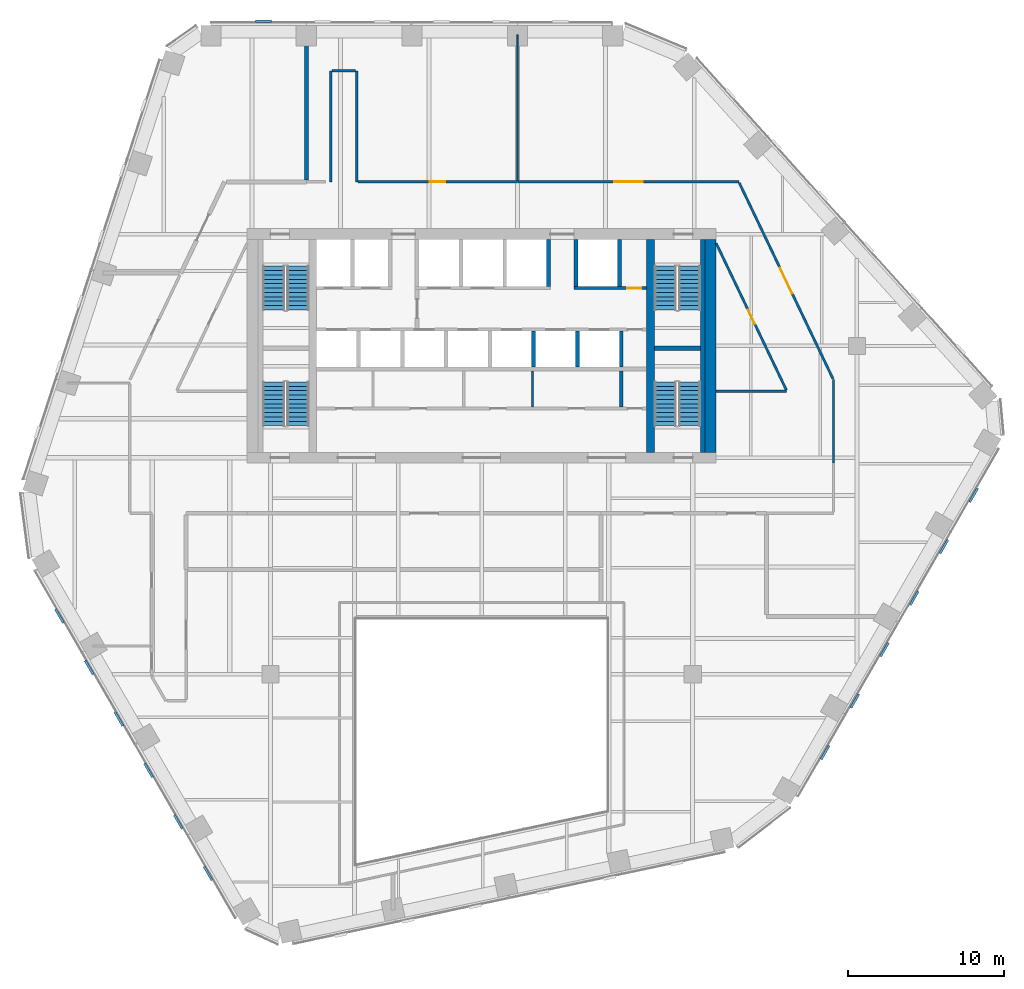
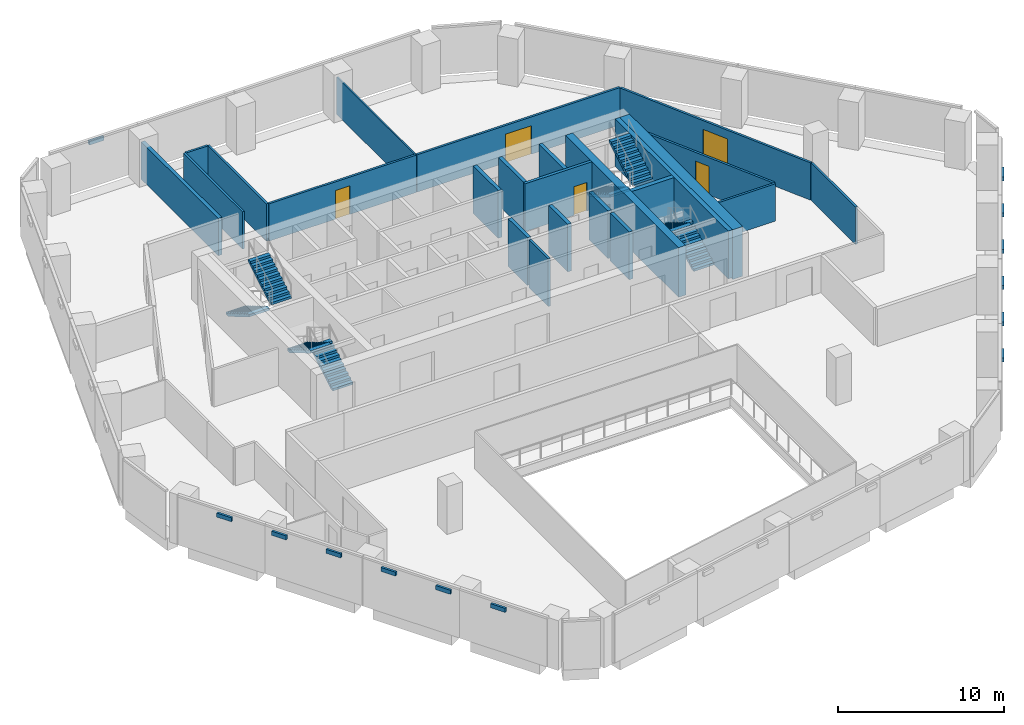
# One storey, part 13 of 17: 24 walls, 13 discrete accessories, 8 stair flights, 5 doors, 5 openings, 4 elements without a shape of their own.
"""IFC4 building model written with IfcOpenShell, lengths in metres."""

from ifc_helpers import new_model, si_unit, direction, frame, frame_2d, origin, origin_2d, place, context, subcontext, project, spatial, polyline, rectangle, outline, extrude, material, layer, layer_set, type_object, element, fill, aggregate, save


model = new_model("IFC4")

# Units and contexts
model_context = context("Model", 3, precision=1e-05, world=origin(), true_north=direction((0.0, 1.0)))
body_context = subcontext(model_context, "Body", "Model", "MODEL_VIEW")
ifc_project = project(units=[si_unit("LENGTHUNIT", "METRE"), si_unit("AREAUNIT", "SQUARE_METRE"), si_unit("VOLUMEUNIT", "CUBIC_METRE"), si_unit("PLANEANGLEUNIT", "RADIAN"), si_unit("MASSUNIT", "GRAM", prefix="KILO")], contexts=[model_context])

# Site, building, storey
site_placement = place(None, origin())
site = spatial("IfcSite", under=ifc_project, at=site_placement, CompositionType="ELEMENT")
building_placement = place(site_placement, origin())
building = spatial("IfcBuilding", under=site, at=building_placement, Name="Isthmus Gate Tower", CompositionType="ELEMENT")
storey_placement = place(building_placement, frame((0.0, 0.0, 200.0)))
storey = spatial("IfcBuildingStorey", under=building, at=storey_placement, Name="L50", CompositionType="ELEMENT", Elevation=200.0)

# Walls
ifc_material_1 = material(Name="Double-leaf acoustic stud wall, fire-rated", Category="gypsum")
ifc_layer_1 = layer(ifc_material_1, 0.25)
ifc_layer_set_1 = layer_set([ifc_layer_1], Name="ACOUSTIC WALL 250 60 MIN")
wall_type_1 = type_object("IfcWallType", Name="ACOUSTIC WALL 250 60 MIN", PredefinedType="PARTITIONING", material=ifc_layer_set_1)
wall_1_placement = place(storey_placement, frame((-11.2119140625, 18.125, 0.0), z_axis=(0.0, 0.0, 1.0), x_axis=(0.0, 1.0, 0.0)))
element("IfcWall", 1, at=wall_1_placement, inside=storey, type_object=wall_type_1, Name="L50 Acoustic Wall 250 60 Min", PredefinedType="PARTITIONING", context=body_context, shape_type="SweptSolid", body=[
    extrude(rectangle(XDim=9.27490234375, YDim=0.25, at=frame_2d((4.637451171875, 0.0))), origin(), (0.0, 0.0, 1.0), 2.7412109375),
])
ifc_material_2 = material(Name="Gypsum board on steel studs, fire-rated", Category="steel")
ifc_layer_2 = layer(ifc_material_2, 0.14990234375)
ifc_layer_set_2 = layer_set([ifc_layer_2], Name="CORRIDOR WALL 150 60 MIN")
wall_type_2 = type_object("IfcWallType", Name="CORRIDOR WALL 150 60 MIN", PredefinedType="PARTITIONING", material=ifc_layer_set_2)
wall_2_placement = place(storey_placement, frame((-8.0, 25.10009765625, 0.0), z_axis=(0.0, 0.0, 1.0), x_axis=(0.0, -1.0, 0.0)))
element("IfcWall", 2, at=wall_2_placement, inside=storey, type_object=wall_type_2, Name="L50 Corridor Wall 150 60 Min", PredefinedType="PARTITIONING", context=body_context, shape_type="SweptSolid", body=[
    extrude(rectangle(XDim=7.10009765625, YDim=0.14990234375, at=frame_2d((3.550048828125, 0.0))), origin(), (0.0, 0.0, 1.0), 2.7412109375),
])
wall_3_placement = place(storey_placement, frame((22.5, 5.340087890625, 0.0), z_axis=(0.0, 0.0, 1.0), x_axis=(0.0, -1.0, 0.0)))
element("IfcWall", 3, at=wall_3_placement, inside=storey, type_object=wall_type_2, Name="L50 Corridor Wall 150 60 Min", PredefinedType="PARTITIONING", context=body_context, shape_type="SweptSolid", body=[
    extrude(rectangle(XDim=5.340087890625, YDim=0.14990234375, at=frame_2d((2.669921875, 0.0))), origin(), (0.0, 0.0, 1.0), 2.7412109375),
])

# Wall, opening, door
wall_4_placement = place(storey_placement, frame((19.492919921875, 4.675048828125, 0.0), z_axis=(0.0, 0.0, 1.0), x_axis=(-0.43146462293, 0.902129857149, 0.0)))
wall_4 = element("IfcWall", 4, at=wall_4_placement, inside=storey, type_object=wall_type_2, Name="L50 Corridor Wall 150 60 Min", PredefinedType="PARTITIONING", context=body_context, shape_type="SweptSolid", body=[
    extrude(rectangle(XDim=10.4130859375, YDim=0.14990234375, at=frame_2d((5.20654296875, 0.0))), origin(), (0.0, 0.0, 1.0), 2.7412109375),
])
opening_1_placement = place(wall_4_placement, frame((4.6982421875, 0.0, 0.0)))
opening_1 = element("IfcOpeningElement", 5, at=opening_1_placement, cuts=wall_4, Name="Opening DT-T4D-07", PredefinedType="OPENING", context=body_context, shape_type="SweptSolid", body=[
    extrude(rectangle(XDim=1.0, YDim=2.10009765625, at=frame_2d((0.5, 1.050048828125))), frame((0.0, 0.0849609375, 0.0), z_axis=(0.0, -1.0, 0.0), x_axis=(1.0, 0.0, 0.0)), (0.0, 0.0, 1.0), 0.169921875),
])
ifc_material_3 = material(Name="Solid core timber door leaf, fire-rated", Category="wood")
door_type_1 = type_object("IfcDoorType", Name="FIRE DOOR ROOM 1000 X 2100 60 MIN", OperationType="SINGLE_SWING_LEFT", PredefinedType="DOOR", material=ifc_material_3)
door_1_placement = place(opening_1_placement, origin())
door_1 = element("IfcDoor", 6, at=door_1_placement, inside=storey, type_object=door_type_1, Name="L50 room door", OperationType="SINGLE_SWING_RIGHT", OverallHeight=2.10009765625, OverallWidth=1.0, PredefinedType="DOOR", context=body_context, shape_type="SweptSolid", body=[
    extrude(rectangle(XDim=1.0, YDim=2.10009765625, at=frame_2d((0.5, 1.050048828125))), frame((0.0, 0.02490234375, 0.0), z_axis=(0.0, -1.0, 0.0), x_axis=(1.0, 0.0, 0.0)), (0.0, 0.0, 1.0), 0.050048828125),
])
fill(opening_1, door_1)

# Walls
wall_5_placement = place(storey_placement, frame((-9.659912109375, 17.998046875, 0.0), z_axis=(0.0, 0.0, 1.0), x_axis=(0.0, 1.0, 0.0)))
element("IfcWall", 7, at=wall_5_placement, inside=storey, type_object=wall_type_2, Name="L50 Corridor Wall 150 60 Min", PredefinedType="PARTITIONING", context=body_context, shape_type="SweptSolid", body=[
    extrude(rectangle(XDim=7.10205078125, YDim=0.14990234375, at=frame_2d((3.551025390625, 0.0))), origin(), (0.0, 0.0, 1.0), 2.7412109375),
])
wall_6_placement = place(storey_placement, frame((-9.5849609375, 25.10009765625, 0.0), z_axis=(0.0, 0.0, 1.0), x_axis=(1.0, 0.0, 0.0)))
element("IfcWall", 8, at=wall_6_placement, inside=storey, type_object=wall_type_2, Name="L50 Corridor Wall 150 60 Min", PredefinedType="PARTITIONING", context=body_context, shape_type="SweptSolid", body=[
    extrude(rectangle(XDim=1.510009765625, YDim=0.14990234375, at=frame_2d((0.7548828125, 0.0))), origin(), (0.0, 0.0, 1.0), 2.7412109375),
])

# Wall, opening, door
wall_7_placement = place(storey_placement, frame((-7.925048828125, 18.0, 0.0), z_axis=(0.0, 0.0, 1.0), x_axis=(1.0, 0.0, 0.0)))
wall_7 = element("IfcWall", 9, at=wall_7_placement, inside=storey, type_object=wall_type_2, Name="L50 Corridor Wall 150 60 Min", PredefinedType="PARTITIONING", context=body_context, shape_type="SweptSolid", body=[
    extrude(rectangle(XDim=10.213134765625, YDim=0.14990234375, at=frame_2d((5.1064453125, 0.0))), origin(), (0.0, 0.0, 1.0), 2.7412109375),
])
opening_2_placement = place(wall_7_placement, frame((4.6064453125, 0.0, 0.0)))
opening_2 = element("IfcOpeningElement", 10, at=opening_2_placement, cuts=wall_7, Name="Opening DT-T4D-01", PredefinedType="OPENING", context=body_context, shape_type="SweptSolid", body=[
    extrude(rectangle(XDim=1.0, YDim=2.10009765625, at=frame_2d((0.5, 1.050048828125))), frame((0.0, 0.0849609375, 0.0), z_axis=(0.0, -1.0, 0.0), x_axis=(1.0, 0.0, 0.0)), (0.0, 0.0, 1.0), 0.169921875),
])
door_2_placement = place(opening_2_placement, origin())
door_2 = element("IfcDoor", 11, at=door_2_placement, inside=storey, type_object=door_type_1, Name="L50 room door", OperationType="SINGLE_SWING_RIGHT", OverallHeight=2.10009765625, OverallWidth=1.0, PredefinedType="DOOR", context=body_context, shape_type="SweptSolid", body=[
    extrude(rectangle(XDim=1.0, YDim=2.10009765625, at=frame_2d((0.5, 1.050048828125))), frame((0.0, 0.02490234375, 0.0), z_axis=(0.0, -1.0, 0.0), x_axis=(1.0, 0.0, 0.0)), (0.0, 0.0, 1.0), 0.050048828125),
])
fill(opening_2, door_2)

wall_8_placement = place(storey_placement, frame((2.337890625, 18.0, 0.0), z_axis=(0.0, 0.0, 1.0), x_axis=(1.0, 0.0, 0.0)))
wall_8 = element("IfcWall", 12, at=wall_8_placement, inside=storey, type_object=wall_type_2, Name="L50 Corridor Wall 150 60 Min", PredefinedType="PARTITIONING", context=body_context, shape_type="SweptSolid", body=[
    extrude(rectangle(XDim=14.107177734375, YDim=0.14990234375, at=frame_2d((7.0537109375, 0.0))), origin(), (0.0, 0.0, 1.0), 2.7412109375),
])
opening_3_placement = place(wall_8_placement, frame((6.153564453125, 0.0, 0.0)))
opening_3 = element("IfcOpeningElement", 13, at=opening_3_placement, cuts=wall_8, Name="Opening DT-T4D-03", PredefinedType="OPENING", context=body_context, shape_type="SweptSolid", body=[
    extrude(rectangle(XDim=1.800048828125, YDim=2.10009765625, at=frame_2d((0.89990234375, 1.050048828125))), frame((0.0, 0.0849609375, 0.0), z_axis=(0.0, -1.0, 0.0), x_axis=(1.0, 0.0, 0.0)), (0.0, 0.0, 1.0), 0.169921875),
])
ifc_material_4 = material(Name="Solid core timber door leaf, fire-rated", Category="wood")
door_type_2 = type_object("IfcDoorType", Name="FIRE DOOR ROOM 1800 X 2100 60 MIN", OperationType="DOUBLE_DOOR_DOUBLE_SWING", PredefinedType="DOOR", material=ifc_material_4)
door_3_placement = place(opening_3_placement, origin())
door_3 = element("IfcDoor", 14, at=door_3_placement, inside=storey, type_object=door_type_2, Name="L50 room door", OperationType="DOUBLE_DOOR_DOUBLE_SWING", OverallHeight=2.10009765625, OverallWidth=1.800048828125, PredefinedType="DOOR", context=body_context, shape_type="SweptSolid", body=[
    extrude(rectangle(XDim=1.800048828125, YDim=2.10009765625, at=frame_2d((0.89990234375, 1.050048828125))), frame((0.0, 0.02490234375, 0.0), z_axis=(0.0, -1.0, 0.0), x_axis=(1.0, 0.0, 0.0)), (0.0, 0.0, 1.0), 0.050048828125),
])
fill(opening_3, door_3)

wall_9_placement = place(storey_placement, frame((16.477294921875, 17.932373046875, 0.0), z_axis=(0.0, 0.0, 1.0), x_axis=(0.431466075341, -0.902129162498, 0.0)))
wall_9 = element("IfcWall", 15, at=wall_9_placement, inside=storey, type_object=wall_type_2, Name="L50 Corridor Wall 150 60 Min", PredefinedType="PARTITIONING", context=body_context, shape_type="SweptSolid", body=[
    extrude(rectangle(XDim=13.883544921875, YDim=0.14990234375, at=frame_2d((6.94189453125, 0.0))), origin(), (0.0, 0.0, 1.0), 2.7412109375),
])
opening_4_placement = place(wall_9_placement, frame((6.041748046875, 0.0, 0.0)))
opening_4 = element("IfcOpeningElement", 16, at=opening_4_placement, cuts=wall_9, Name="Opening DT-T4D-04", PredefinedType="OPENING", context=body_context, shape_type="SweptSolid", body=[
    extrude(rectangle(XDim=1.800048828125, YDim=2.10009765625, at=frame_2d((0.89990234375, 1.050048828125))), frame((0.0, 0.0849609375, 0.0), z_axis=(0.0, -1.0, 0.0), x_axis=(1.0, 0.0, 0.0)), (0.0, 0.0, 1.0), 0.169921875),
])
door_4_placement = place(opening_4_placement, origin())
door_4 = element("IfcDoor", 17, at=door_4_placement, inside=storey, type_object=door_type_2, Name="L50 room door", OperationType="DOUBLE_DOOR_DOUBLE_SWING", OverallHeight=2.10009765625, OverallWidth=1.800048828125, PredefinedType="DOOR", context=body_context, shape_type="SweptSolid", body=[
    extrude(rectangle(XDim=1.800048828125, YDim=2.10009765625, at=frame_2d((0.89990234375, 1.050048828125))), frame((0.0, 0.02490234375, 0.0), z_axis=(0.0, -1.0, 0.0), x_axis=(1.0, 0.0, 0.0)), (0.0, 0.0, 1.0), 0.050048828125),
])
fill(opening_4, door_4)

# Walls
wall_10_placement = place(storey_placement, frame((15.0, 4.60009765625, 0.0), z_axis=(0.0, 0.0, 1.0), x_axis=(1.0, 0.0, 0.0)))
element("IfcWall", 18, at=wall_10_placement, inside=storey, type_object=wall_type_2, Name="L50 Corridor Wall 150 60 Min", PredefinedType="PARTITIONING", context=body_context, shape_type="SweptSolid", body=[
    extrude(rectangle(XDim=4.5, YDim=0.14990234375, at=frame_2d((2.25, 0.0))), origin(), (0.0, 0.0, 1.0), 2.7412109375),
])
ifc_material_5 = material(Name="Concrete f'c 60 MPa", Category="concrete")
ifc_layer_3 = layer(ifc_material_5, 0.5)
ifc_layer_set_3 = layer_set([ifc_layer_3], Name="RC CORE SPINE WALL 500 F'C 60")
wall_type_3 = type_object("IfcWallType", Name="RC CORE SPINE WALL 500 F'C 60", PredefinedType="SOLIDWALL", material=ifc_layer_set_3)
wall_11_placement = place(storey_placement, frame((10.800048828125, 0.699951171875, -0.14990234375), z_axis=(0.0, 0.0, 1.0), x_axis=(0.0, 1.0, 0.0)))
element("IfcWall", 19, at=wall_11_placement, inside=storey, type_object=wall_type_3, Name="str-corewall-L50-SPE", PredefinedType="SOLIDWALL", context=body_context, shape_type="SweptSolid", body=[
    extrude(rectangle(XDim=13.60009765625, YDim=0.5, at=frame_2d((6.800048828125, 0.0))), origin(), (0.0, 0.0, 1.0), 3.64990234375),
])
ifc_material_6 = material(Name="Concrete f'c 60 MPa", Category="concrete")
ifc_layer_4 = layer(ifc_material_6, 0.699951171875)
ifc_layer_set_4 = layer_set([ifc_layer_4], Name="RC CORE WALL 700 F'C 60")
wall_type_4 = type_object("IfcWallType", Name="RC CORE WALL 700 F'C 60", PredefinedType="SOLIDWALL", material=ifc_layer_set_4)
wall_12_placement = place(storey_placement, frame((14.64990234375, 0.699951171875, -0.14990234375), z_axis=(0.0, 0.0, 1.0), x_axis=(0.0, 1.0, 0.0)))
element("IfcWall", 20, at=wall_12_placement, inside=storey, type_object=wall_type_4, Name="str-corewall-L50-E", PredefinedType="SOLIDWALL", context=body_context, shape_type="SweptSolid", body=[
    extrude(rectangle(XDim=13.60009765625, YDim=0.699951171875, at=frame_2d((6.800048828125, 0.0))), origin(), (0.0, 0.0, 1.0), 3.64990234375),
])
ifc_material_7 = material(Name="Gypsum board on steel studs, fire-rated", Category="steel")
ifc_layer_5 = layer(ifc_material_7, 0.10009765625)
ifc_layer_set_5 = layer_set([ifc_layer_5], Name="ROOM PARTITION 100 30 MIN")
wall_type_5 = type_object("IfcWallType", Name="ROOM PARTITION 100 30 MIN", PredefinedType="PARTITIONING", material=ifc_layer_set_5)
wall_13_placement = place(storey_placement, frame((2.2880859375, 18.074951171875, 0.0), z_axis=(0.0, 0.0, 1.0), x_axis=(0.0, 1.0, 0.0)))
element("IfcWall", 21, at=wall_13_placement, inside=storey, type_object=wall_type_5, Name="L50 Room Partition 100 30 Min", PredefinedType="PARTITIONING", context=body_context, shape_type="SweptSolid", body=[
    extrude(rectangle(XDim=9.324951171875, YDim=0.10009765625, at=frame_2d((4.66259765625, 0.0))), origin(), (0.0, 0.0, 1.0), 2.7412109375),
])
ifc_material_8 = material(Name="Gypsum board on steel studs, fire-rated", Category="steel")
ifc_layer_6 = layer(ifc_material_8, 0.14990234375)
ifc_layer_set_6 = layer_set([ifc_layer_6], Name="ROOM PARTITION 150 60 MIN")
wall_type_6 = type_object("IfcWallType", Name="ROOM PARTITION 150 60 MIN", PredefinedType="PARTITIONING", material=ifc_layer_set_6)
wall_14_placement = place(storey_placement, frame((3.25, 3.60009765625, 0.0), z_axis=(0.0, 0.0, 1.0), x_axis=(0.0, 1.0, 0.0)))
element("IfcWall", 22, at=wall_14_placement, inside=storey, type_object=wall_type_6, Name="L50 ROOM PARTITION 150 60 MIN", PredefinedType="PARTITIONING", context=body_context, shape_type="SweptSolid", body=[
    extrude(rectangle(XDim=2.2998046875, YDim=0.14990234375, at=frame_2d((1.14990234375, 0.0))), origin(), (0.0, 0.0, 1.0), 3.5),
])

# Wall, opening, door
ifc_material_9 = material(Name="Fire-rated blockwork masonry, 15 MPa", Category="masonry")
ifc_layer_7 = layer(ifc_material_9, 0.199951171875)
ifc_layer_set_7 = layer_set([ifc_layer_7], Name="SHAFT FRONT WALL 200 120 MIN")
wall_type_7 = type_object("IfcWallType", Name="SHAFT FRONT WALL 200 120 MIN", PredefinedType="PARTITIONING", material=ifc_layer_set_7)
wall_15_placement = place(storey_placement, frame((5.89990234375, 11.199951171875, 0.0), z_axis=(0.0, 0.0, 1.0), x_axis=(1.0, 0.0, 0.0)))
wall_15 = element("IfcWall", 23, at=wall_15_placement, inside=storey, type_object=wall_type_7, Name="L50 SHAFT FRONT WALL 200 120 MIN", PredefinedType="PARTITIONING", context=body_context, shape_type="SweptSolid", body=[
    extrude(rectangle(XDim=4.650146484375, YDim=0.199951171875, at=frame_2d((2.3251953125, 0.0))), origin(), (0.0, 0.0, 1.0), 3.5),
])
opening_5_placement = place(wall_15_placement, frame((3.39990234375, 0.0, 0.0)))
opening_5 = element("IfcOpeningElement", 24, at=opening_5_placement, cuts=wall_15, Name="Opening DC-A13-08", PredefinedType="OPENING", context=body_context, shape_type="SweptSolid", body=[
    extrude(rectangle(XDim=0.89990234375, YDim=2.10009765625, at=frame_2d((0.449951171875, 1.050048828125))), frame((0.0, 0.10986328125, 0.0), z_axis=(0.0, -1.0, 0.0), x_axis=(1.0, 0.0, 0.0)), (0.0, 0.0, 1.0), 0.219970703125),
])
ifc_material_10 = material(Name="Steel door leaf, fire-rated", Category="steel")
door_type_3 = type_object("IfcDoorType", Name="RISER FIRE DOOR 900 X 2100 90 MIN", OperationType="SINGLE_SWING_LEFT", PredefinedType="DOOR", material=ifc_material_10)
door_5_placement = place(opening_5_placement, origin())
door_5 = element("IfcDoor", 25, at=door_5_placement, inside=storey, type_object=door_type_3, Name="Riser Door", OperationType="SINGLE_SWING_LEFT", OverallHeight=2.10009765625, OverallWidth=0.89990234375, PredefinedType="DOOR", context=body_context, shape_type="SweptSolid", body=[
    extrude(rectangle(XDim=0.89990234375, YDim=2.10009765625, at=frame_2d((0.449951171875, 1.050048828125))), frame((0.0, 0.02490234375, 0.0), z_axis=(0.0, -1.0, 0.0), x_axis=(1.0, 0.0, 0.0)), (0.0, 0.0, 1.0), 0.050048828125),
])
fill(opening_5, door_5)

# Walls
ifc_material_11 = material(Name="Fire-rated blockwork masonry, 15 MPa", Category="masonry")
ifc_layer_8 = layer(ifc_material_11, 0.25)
ifc_layer_set_8 = layer_set([ifc_layer_8], Name="SHAFT WALL 250 120 MIN")
wall_type_8 = type_object("IfcWallType", Name="SHAFT WALL 250 120 MIN", PredefinedType="PARTITIONING", material=ifc_layer_set_8)
wall_16_placement = place(storey_placement, frame((8.925048828125, 3.60009765625, 0.0), z_axis=(0.0, 0.0, 1.0), x_axis=(0.0, 1.0, 0.0)))
element("IfcWall", 26, at=wall_16_placement, inside=storey, type_object=wall_type_8, Name="L50 SHAFT WALL 250 120 MIN", PredefinedType="PARTITIONING", context=body_context, shape_type="SweptSolid", body=[
    extrude(rectangle(XDim=2.2998046875, YDim=0.25, at=frame_2d((1.14990234375, 0.0))), origin(), (0.0, 0.0, 1.0), 3.5),
])
for number, where, z_axis, x_axis, name in (
    (27, (3.324951171875, 6.14990234375, 0.0), (0.0, 0.0, 1.0), (0.0, 1.0, 0.0), "L50 SHAFT WALL 250 120 MIN"),
    (28, (6.125, 6.14990234375, 0.0), (0.0, 0.0, 1.0), (0.0, 1.0, 0.0), "L50 SHAFT WALL 250 120 MIN"),
    (29, (8.925048828125, 6.14990234375, 0.0), (0.0, 0.0, 1.0), (0.0, 1.0, 0.0), "L50 SHAFT WALL 250 120 MIN"),
):
    element("IfcWall", number, at=place(storey_placement, frame(where, z_axis=z_axis, x_axis=x_axis)), inside=storey, type_object=wall_type_8, Name=name, PredefinedType="PARTITIONING", context=body_context, shape_type="SweptSolid", body=[
        extrude(rectangle(XDim=2.300048828125, YDim=0.25, at=frame_2d((1.14990234375, 0.0))), origin(), (0.0, 0.0, 1.0), 3.5),
    ])
for number, where, z_axis, x_axis, name in (
    (30, (4.27490234375, 11.300048828125, 0.0), (0.0, 0.0, 1.0), (0.0, 1.0, 0.0), "L50 SHAFT WALL 250 120 MIN"),
    (31, (6.02490234375, 11.300048828125, 0.0), (0.0, 0.0, 1.0), (0.0, 1.0, 0.0), "L50 SHAFT WALL 250 120 MIN"),
    (32, (8.824951171875, 11.300048828125, 0.0), (0.0, 0.0, 1.0), (0.0, 1.0, 0.0), "L50 SHAFT WALL 250 120 MIN"),
):
    element("IfcWall", number, at=place(storey_placement, frame(where, z_axis=z_axis, x_axis=x_axis)), inside=storey, type_object=wall_type_8, Name=name, PredefinedType="PARTITIONING", context=body_context, shape_type="SweptSolid", body=[
        extrude(rectangle(XDim=3.0, YDim=0.25, at=frame_2d((1.5, 0.0))), origin(), (0.0, 0.0, 1.0), 3.5),
    ])
ifc_material_12 = material(Name="Concrete f'c 40 MPa", Category="concrete")
ifc_layer_9 = layer(ifc_material_12, 0.300048828125)
ifc_layer_set_9 = layer_set([ifc_layer_9], Name="STAIR ENCLOSURE WALL 300 180 MIN")
wall_type_9 = type_object("IfcWallType", Name="STAIR ENCLOSURE WALL 300 180 MIN", PredefinedType="SOLIDWALL", material=ifc_layer_set_9)
wall_17_placement = place(storey_placement, frame((11.050048828125, 7.35009765625, 0.0), z_axis=(0.0, 0.0, 1.0), x_axis=(1.0, 0.0, 0.0)))
element("IfcWall", 33, at=wall_17_placement, inside=storey, type_object=wall_type_9, Name="L50 STAIR ENCLOSURE WALL 300 180 MIN", PredefinedType="SOLIDWALL", context=body_context, shape_type="SweptSolid", body=[
    extrude(rectangle(XDim=2.949951171875, YDim=0.300048828125, at=frame_2d((1.47509765625, 0.0))), origin(), (0.0, 0.0, 1.0), 3.5),
])
wall_18_placement = place(storey_placement, frame((14.14990234375, 0.699951171875, 0.0), z_axis=(0.0, 0.0, 1.0), x_axis=(0.0, 1.0, 0.0)))
element("IfcWall", 34, at=wall_18_placement, inside=storey, type_object=wall_type_9, Name="L50 STAIR ENCLOSURE WALL 300 180 MIN", PredefinedType="SOLIDWALL", context=body_context, shape_type="SweptSolid", body=[
    extrude(rectangle(XDim=13.60009765625, YDim=0.300048828125, at=frame_2d((6.800048828125, 0.0))), origin(), (0.0, 0.0, 1.0), 3.5),
])

# Stair, stair flights
ifc_material_13 = material(Name="Concrete f'c 40 MPa", Category="concrete")
stair_type = type_object("IfcStairType", Name="CORE STAIR 22 RISERS", PredefinedType="HALF_TURN_STAIR", material=ifc_material_13)
stair_1_placement = place(storey_placement, origin())
stair_1 = element("IfcStair", 35, at=stair_1_placement, inside=storey, type_object=stair_type, Name="L50 Exit Stair 1", PredefinedType="HALF_TURN_STAIR")
ifc_material_14 = material(Name="Concrete f'c 40 MPa", Category="concrete")
stair_flight_type = type_object("IfcStairFlightType", Name="STAIR FLIGHT RC 1400", PredefinedType="STRAIGHT", material=ifc_material_14)
stair_flight_1_placement = place(storey_placement, frame((-13.300048828125, 12.60009765625, 0.0), z_axis=(0.0, 0.0, 1.0), x_axis=(0.0, -1.0, 0.0)))
stair_flight_1 = element("IfcStairFlight", 36, at=stair_flight_1_placement, type_object=stair_flight_type, Name="ST1 flight 1", NumberOfRisers=11, NumberOfTreads=10, PredefinedType="STRAIGHT", RiserHeight=0.165909091, TreadLength=0.28, context=body_context, shape_type="SweptSolid", body=[
    extrude(outline(polyline([(0.0, 0.0), (0.0, 0.166015625), (0.280029296875, 0.166015625), (0.280029296875, 0.331787109375), (0.56005859375, 0.331787109375), (0.56005859375, 0.497802734375), (0.840087890625, 0.497802734375), (0.840087890625, 0.66357421875), (1.1201171875, 0.66357421875), (1.1201171875, 0.82958984375), (1.39990234375, 0.82958984375), (1.39990234375, 0.995361328125), (1.679931640625, 0.995361328125), (1.679931640625, 1.161376953125), (1.9599609375, 1.161376953125), (1.9599609375, 1.327392578125), (2.239990234375, 1.327392578125), (2.239990234375, 1.4931640625), (2.52001953125, 1.4931640625), (2.52001953125, 1.6591796875), (2.800048828125, 1.6591796875), (2.800048828125, 1.824951171875), (2.800048828125, 1.48486328125), (0.2939453125, 0.0), (0.0, 0.0)])), frame((0.0, 0.699951171875, 0.0), z_axis=(0.0, -1.0, 0.0), x_axis=(1.0, 0.0, 0.0)), (0.0, 0.0, 1.0), 1.39990234375),
])
stair_flight_2_placement = place(storey_placement, frame((-11.75, 9.800048828125, 1.824951171875), z_axis=(0.0, 0.0, 1.0), x_axis=(0.0, 1.0, 0.0)))
stair_flight_2 = element("IfcStairFlight", 37, at=stair_flight_2_placement, type_object=stair_flight_type, Name="ST1 flight 2", NumberOfRisers=11, NumberOfTreads=10, PredefinedType="STRAIGHT", RiserHeight=0.165909091, TreadLength=0.28, context=body_context, shape_type="SweptSolid", body=[
    extrude(outline(polyline([(0.0, 0.0), (0.0, 0.166015625), (0.280029296875, 0.166015625), (0.280029296875, 0.331787109375), (0.56005859375, 0.331787109375), (0.56005859375, 0.497802734375), (0.840087890625, 0.497802734375), (0.840087890625, 0.66357421875), (1.1201171875, 0.66357421875), (1.1201171875, 0.82958984375), (1.39990234375, 0.82958984375), (1.39990234375, 0.995361328125), (1.679931640625, 0.995361328125), (1.679931640625, 1.161376953125), (1.9599609375, 1.161376953125), (1.9599609375, 1.327392578125), (2.239990234375, 1.327392578125), (2.239990234375, 1.4931640625), (2.52001953125, 1.4931640625), (2.52001953125, 1.6591796875), (2.800048828125, 1.6591796875), (2.800048828125, 1.824951171875), (2.800048828125, 1.48486328125), (0.2939453125, 0.0), (0.0, 0.0)])), frame((0.0, 0.699951171875, 0.0), z_axis=(0.0, -1.0, 0.0), x_axis=(1.0, 0.0, 0.0)), (0.0, 0.0, 1.0), 1.39990234375),
])
aggregate(stair_1, [stair_flight_1, stair_flight_2])

stair_2_placement = place(storey_placement, origin())
stair_2 = element("IfcStair", 38, at=stair_2_placement, inside=storey, type_object=stair_type, Name="L50 Exit Stair 2", PredefinedType="HALF_TURN_STAIR")
stair_flight_3_placement = place(storey_placement, frame((11.75, 12.60009765625, 0.0), z_axis=(0.0, 0.0, 1.0), x_axis=(0.0, -1.0, 0.0)))
stair_flight_3 = element("IfcStairFlight", 39, at=stair_flight_3_placement, type_object=stair_flight_type, Name="ST2 flight 1", NumberOfRisers=11, NumberOfTreads=10, PredefinedType="STRAIGHT", RiserHeight=0.165909091, TreadLength=0.28, context=body_context, shape_type="SweptSolid", body=[
    extrude(outline(polyline([(0.0, 0.0), (0.0, 0.166015625), (0.280029296875, 0.166015625), (0.280029296875, 0.331787109375), (0.56005859375, 0.331787109375), (0.56005859375, 0.497802734375), (0.840087890625, 0.497802734375), (0.840087890625, 0.66357421875), (1.1201171875, 0.66357421875), (1.1201171875, 0.82958984375), (1.39990234375, 0.82958984375), (1.39990234375, 0.995361328125), (1.679931640625, 0.995361328125), (1.679931640625, 1.161376953125), (1.9599609375, 1.161376953125), (1.9599609375, 1.327392578125), (2.239990234375, 1.327392578125), (2.239990234375, 1.4931640625), (2.52001953125, 1.4931640625), (2.52001953125, 1.6591796875), (2.800048828125, 1.6591796875), (2.800048828125, 1.824951171875), (2.800048828125, 1.48486328125), (0.2939453125, 0.0), (0.0, 0.0)])), frame((0.0, 0.699951171875, 0.0), z_axis=(0.0, -1.0, 0.0), x_axis=(1.0, 0.0, 0.0)), (0.0, 0.0, 1.0), 1.39990234375),
])
stair_flight_4_placement = place(storey_placement, frame((13.300048828125, 9.800048828125, 1.824951171875), z_axis=(0.0, 0.0, 1.0), x_axis=(0.0, 1.0, 0.0)))
stair_flight_4 = element("IfcStairFlight", 40, at=stair_flight_4_placement, type_object=stair_flight_type, Name="ST2 flight 2", NumberOfRisers=11, NumberOfTreads=10, PredefinedType="STRAIGHT", RiserHeight=0.165909091, TreadLength=0.28, context=body_context, shape_type="SweptSolid", body=[
    extrude(outline(polyline([(0.0, 0.0), (0.0, 0.166015625), (0.280029296875, 0.166015625), (0.280029296875, 0.331787109375), (0.56005859375, 0.331787109375), (0.56005859375, 0.497802734375), (0.840087890625, 0.497802734375), (0.840087890625, 0.66357421875), (1.1201171875, 0.66357421875), (1.1201171875, 0.82958984375), (1.39990234375, 0.82958984375), (1.39990234375, 0.995361328125), (1.679931640625, 0.995361328125), (1.679931640625, 1.161376953125), (1.9599609375, 1.161376953125), (1.9599609375, 1.327392578125), (2.239990234375, 1.327392578125), (2.239990234375, 1.4931640625), (2.52001953125, 1.4931640625), (2.52001953125, 1.6591796875), (2.800048828125, 1.6591796875), (2.800048828125, 1.824951171875), (2.800048828125, 1.48486328125), (0.2939453125, 0.0), (0.0, 0.0)])), frame((0.0, 0.699951171875, 0.0), z_axis=(0.0, -1.0, 0.0), x_axis=(1.0, 0.0, 0.0)), (0.0, 0.0, 1.0), 1.39990234375),
])
aggregate(stair_2, [stair_flight_3, stair_flight_4])

stair_3_placement = place(storey_placement, origin())
stair_3 = element("IfcStair", 41, at=stair_3_placement, inside=storey, type_object=stair_type, Name="L50 Exit Stair 7", PredefinedType="HALF_TURN_STAIR")
stair_flight_5_placement = place(storey_placement, frame((-11.75, 2.39990234375, 0.0), z_axis=(0.0, 0.0, 1.0), x_axis=(0.0, 1.0, 0.0)))
stair_flight_5 = element("IfcStairFlight", 42, at=stair_flight_5_placement, type_object=stair_flight_type, Name="ST7 flight 1", NumberOfRisers=11, NumberOfTreads=10, PredefinedType="STRAIGHT", RiserHeight=0.165909091, TreadLength=0.28, context=body_context, shape_type="SweptSolid", body=[
    extrude(outline(polyline([(0.0, 0.0), (0.0, 0.166015625), (0.280029296875, 0.166015625), (0.280029296875, 0.331787109375), (0.56005859375, 0.331787109375), (0.56005859375, 0.497802734375), (0.840087890625, 0.497802734375), (0.840087890625, 0.66357421875), (1.1201171875, 0.66357421875), (1.1201171875, 0.82958984375), (1.39990234375, 0.82958984375), (1.39990234375, 0.995361328125), (1.679931640625, 0.995361328125), (1.679931640625, 1.161376953125), (1.9599609375, 1.161376953125), (1.9599609375, 1.327392578125), (2.239990234375, 1.327392578125), (2.239990234375, 1.4931640625), (2.52001953125, 1.4931640625), (2.52001953125, 1.6591796875), (2.800048828125, 1.6591796875), (2.800048828125, 1.824951171875), (2.800048828125, 1.48486328125), (0.2939453125, 0.0), (0.0, 0.0)])), frame((0.0, 0.699951171875, 0.0), z_axis=(0.0, -1.0, 0.0), x_axis=(1.0, 0.0, 0.0)), (0.0, 0.0, 1.0), 1.39990234375),
])
stair_flight_6_placement = place(storey_placement, frame((-13.300048828125, 5.199951171875, 1.824951171875), z_axis=(0.0, 0.0, 1.0), x_axis=(0.0, -1.0, 0.0)))
stair_flight_6 = element("IfcStairFlight", 43, at=stair_flight_6_placement, type_object=stair_flight_type, Name="ST7 flight 2", NumberOfRisers=11, NumberOfTreads=10, PredefinedType="STRAIGHT", RiserHeight=0.165909091, TreadLength=0.28, context=body_context, shape_type="SweptSolid", body=[
    extrude(outline(polyline([(0.0, 0.0), (0.0, 0.166015625), (0.280029296875, 0.166015625), (0.280029296875, 0.331787109375), (0.56005859375, 0.331787109375), (0.56005859375, 0.497802734375), (0.840087890625, 0.497802734375), (0.840087890625, 0.66357421875), (1.1201171875, 0.66357421875), (1.1201171875, 0.82958984375), (1.39990234375, 0.82958984375), (1.39990234375, 0.995361328125), (1.679931640625, 0.995361328125), (1.679931640625, 1.161376953125), (1.9599609375, 1.161376953125), (1.9599609375, 1.327392578125), (2.239990234375, 1.327392578125), (2.239990234375, 1.4931640625), (2.52001953125, 1.4931640625), (2.52001953125, 1.6591796875), (2.800048828125, 1.6591796875), (2.800048828125, 1.824951171875), (2.800048828125, 1.48486328125), (0.2939453125, 0.0), (0.0, 0.0)])), frame((0.0, 0.699951171875, 0.0), z_axis=(0.0, -1.0, 0.0), x_axis=(1.0, 0.0, 0.0)), (0.0, 0.0, 1.0), 1.39990234375),
])
aggregate(stair_3, [stair_flight_5, stair_flight_6])

stair_4_placement = place(storey_placement, origin())
stair_4 = element("IfcStair", 44, at=stair_4_placement, inside=storey, type_object=stair_type, Name="L50 Exit Stair 8", PredefinedType="HALF_TURN_STAIR")
stair_flight_7_placement = place(storey_placement, frame((13.300048828125, 2.39990234375, 0.0), z_axis=(0.0, 0.0, 1.0), x_axis=(0.0, 1.0, 0.0)))
stair_flight_7 = element("IfcStairFlight", 45, at=stair_flight_7_placement, type_object=stair_flight_type, Name="ST8 flight 1", NumberOfRisers=11, NumberOfTreads=10, PredefinedType="STRAIGHT", RiserHeight=0.165909091, TreadLength=0.28, context=body_context, shape_type="SweptSolid", body=[
    extrude(outline(polyline([(0.0, 0.0), (0.0, 0.166015625), (0.280029296875, 0.166015625), (0.280029296875, 0.331787109375), (0.56005859375, 0.331787109375), (0.56005859375, 0.497802734375), (0.840087890625, 0.497802734375), (0.840087890625, 0.66357421875), (1.1201171875, 0.66357421875), (1.1201171875, 0.82958984375), (1.39990234375, 0.82958984375), (1.39990234375, 0.995361328125), (1.679931640625, 0.995361328125), (1.679931640625, 1.161376953125), (1.9599609375, 1.161376953125), (1.9599609375, 1.327392578125), (2.239990234375, 1.327392578125), (2.239990234375, 1.4931640625), (2.52001953125, 1.4931640625), (2.52001953125, 1.6591796875), (2.800048828125, 1.6591796875), (2.800048828125, 1.824951171875), (2.800048828125, 1.48486328125), (0.2939453125, 0.0), (0.0, 0.0)])), frame((0.0, 0.699951171875, 0.0), z_axis=(0.0, -1.0, 0.0), x_axis=(1.0, 0.0, 0.0)), (0.0, 0.0, 1.0), 1.39990234375),
])
stair_flight_8_placement = place(storey_placement, frame((11.75, 5.199951171875, 1.824951171875), z_axis=(0.0, 0.0, 1.0), x_axis=(0.0, -1.0, 0.0)))
stair_flight_8 = element("IfcStairFlight", 46, at=stair_flight_8_placement, type_object=stair_flight_type, Name="ST8 flight 2", NumberOfRisers=11, NumberOfTreads=10, PredefinedType="STRAIGHT", RiserHeight=0.165909091, TreadLength=0.28, context=body_context, shape_type="SweptSolid", body=[
    extrude(outline(polyline([(0.0, 0.0), (0.0, 0.166015625), (0.280029296875, 0.166015625), (0.280029296875, 0.331787109375), (0.56005859375, 0.331787109375), (0.56005859375, 0.497802734375), (0.840087890625, 0.497802734375), (0.840087890625, 0.66357421875), (1.1201171875, 0.66357421875), (1.1201171875, 0.82958984375), (1.39990234375, 0.82958984375), (1.39990234375, 0.995361328125), (1.679931640625, 0.995361328125), (1.679931640625, 1.161376953125), (1.9599609375, 1.161376953125), (1.9599609375, 1.327392578125), (2.239990234375, 1.327392578125), (2.239990234375, 1.4931640625), (2.52001953125, 1.4931640625), (2.52001953125, 1.6591796875), (2.800048828125, 1.6591796875), (2.800048828125, 1.824951171875), (2.800048828125, 1.48486328125), (0.2939453125, 0.0), (0.0, 0.0)])), frame((0.0, 0.699951171875, 0.0), z_axis=(0.0, -1.0, 0.0), x_axis=(1.0, 0.0, 0.0)), (0.0, 0.0, 1.0), 1.39990234375),
])
aggregate(stair_4, [stair_flight_7, stair_flight_8])

# Discrete accessories
ifc_material_15 = material(Name="Structural steel ASTM A572 Gr 50, white paint system", Category="steel")
discrete_accessory_type = type_object("IfcDiscreteAccessoryType", Name="FIN BRACKET 1016 X 150 X 300", PredefinedType="BRACKET", material=ifc_material_15)
for number, where, z_axis, x_axis, name in (
    (47, (-13.961669921875, 28.27490234375, 3.10009765625), (0.0, 0.0, 1.0), (0.0, 1.0, 0.0), "FIN BRACKET"),
    (48, (-27.006103515625, -9.774169921875, 3.10009765625), (0.0, 0.0, 1.0), (-0.866025403784, -0.5, 0.0), "FIN BRACKET"),
    (49, (-25.10595703125, -13.065185546875, 3.10009765625), (0.0, 0.0, 1.0), (-0.866025403784, -0.5, 0.0), "FIN BRACKET"),
    (50, (-23.2060546875, -16.35595703125, 3.10009765625), (0.0, 0.0, 1.0), (-0.866025403784, -0.5, 0.0), "FIN BRACKET"),
    (51, (-21.305908203125, -19.64697265625, 3.10009765625), (0.0, 0.0, 1.0), (-0.866025403784, -0.5, 0.0), "FIN BRACKET"),
    (52, (-19.406005859375, -22.937744140625, 3.10009765625), (0.0, 0.0, 1.0), (-0.866025403784, -0.5, 0.0), "FIN BRACKET"),
    (53, (-17.506103515625, -26.228759765625, 3.10009765625), (0.0, 0.0, 1.0), (-0.866025403784, -0.5, 0.0), "FIN BRACKET"),
    (54, (21.9677734375, -18.500732421875, 3.10009765625), (0.0, 0.0, 1.0), (0.866025403784, -0.5, 0.0), "FIN BRACKET"),
    (55, (23.86767578125, -15.2099609375, 3.10009765625), (0.0, 0.0, 1.0), (0.866025403784, -0.5, 0.0), "FIN BRACKET"),
    (56, (25.767822265625, -11.9189453125, 3.10009765625), (0.0, 0.0, 1.0), (0.866025403784, -0.5, 0.0), "FIN BRACKET"),
    (57, (27.667724609375, -8.628173828125, 3.10009765625), (0.0, 0.0, 1.0), (0.866025403784, -0.5, 0.0), "FIN BRACKET"),
    (58, (29.567626953125, -5.337158203125, 3.10009765625), (0.0, 0.0, 1.0), (0.866025403784, -0.5, 0.0), "FIN BRACKET"),
    (59, (31.4677734375, -2.04638671875, 3.10009765625), (0.0, 0.0, 1.0), (0.866025403784, -0.5, 0.0), "FIN BRACKET"),
):
    element("IfcDiscreteAccessory", number, at=place(storey_placement, frame(where, z_axis=z_axis, x_axis=x_axis)), inside=storey, type_object=discrete_accessory_type, Name=name, PredefinedType="BRACKET", context=body_context, shape_type="SweptSolid", body=[
        extrude(rectangle(XDim=0.14990234375, YDim=1.01611328125, at=origin_2d()), origin(), (0.0, 0.0, 1.0), 0.300048828125),
    ])

save(model, "model.ifc")
